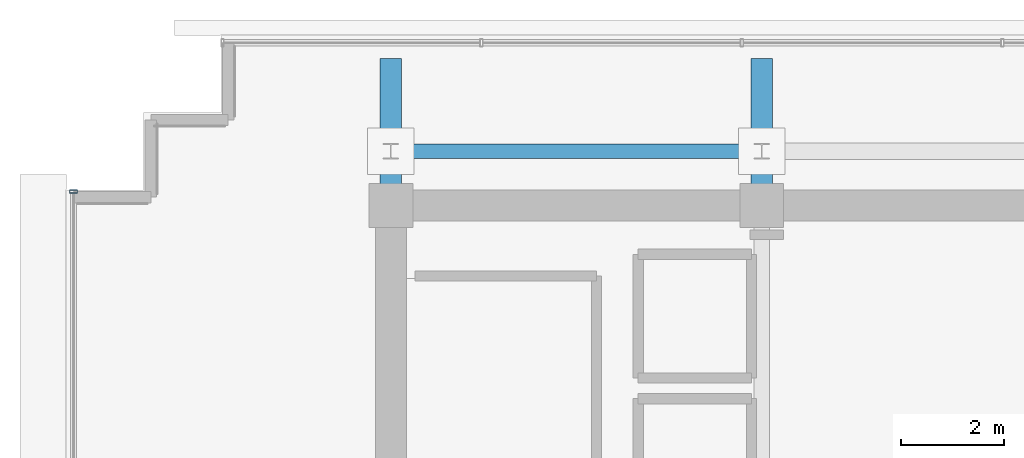
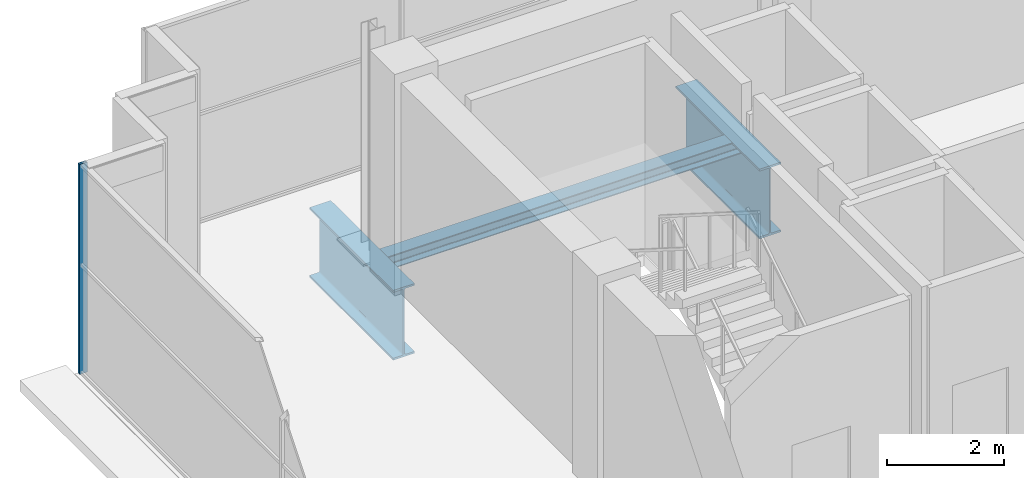
# One storey, part 13 of 28: 3 beams, 1 member, 1 element without a shape of its own.
"""IFC4 building model written with IfcOpenShell, lengths in metres."""

from ifc_helpers import new_model, si_unit, direction, frame, origin, origin_2d, place, context, subcontext, project, spatial, hollow_rectangle, i_section, extrude, source, transform, mapped, material, layer, layer_set, material_profile, profile_set, type_object, element, aggregate, save


model = new_model("IFC4")

# Units and contexts
model_context = context("Model", 3, precision=1e-05, world=origin(), true_north=direction((0.0, 1.0)))
body_context = subcontext(model_context, "Body", "Model", "MODEL_VIEW")
ifc_project = project(units=[si_unit("LENGTHUNIT", "METRE"), si_unit("AREAUNIT", "SQUARE_METRE"), si_unit("VOLUMEUNIT", "CUBIC_METRE"), si_unit("PLANEANGLEUNIT", "RADIAN"), si_unit("MASSUNIT", "GRAM", prefix="KILO")], contexts=[model_context])

# Site, building, storey
site_placement = place(None, origin())
site = spatial("IfcSite", under=ifc_project, at=site_placement, CompositionType="ELEMENT")
building_placement = place(site_placement, origin())
building = spatial("IfcBuilding", under=site, at=building_placement, Name="Zarnakvel Exchange Tower", CompositionType="ELEMENT")
storey_placement = place(building_placement, frame((0.0, 0.0, 271.60009765625)))
storey = spatial("IfcBuildingStorey", under=building, at=storey_placement, Name="Crown L77", CompositionType="ELEMENT", Elevation=271.60009765625)

# Beams
ifc_material_1 = material(Name="Steel S355", Category="steel")
ifc_material_profile_1 = material_profile(ifc_material_1, i_section(OverallWidth=0.280029296875, OverallDepth=0.280029296875, WebThickness=0.010498046875, FlangeThickness=0.01806640625, FilletRadius=0.02392578125, at=origin_2d()))
ifc_profile_set_1 = profile_set([ifc_material_profile_1], Name="Steel S355")
beam_type_1 = type_object("IfcBeamType", Name="SP-04", PredefinedType="SPANDREL", material=ifc_profile_set_1)
beam_placement = place(storey_placement, frame((-14.39990234375, 14.550048828125, -0.360107421875), z_axis=(1.0, 0.0, 0.0), x_axis=(0.0, 1.0, 0.0)))
element("IfcBeam", 1, at=beam_placement, inside=storey, type_object=beam_type_1, Name="Crown L77 Tower E-W Frame Beam", PredefinedType="SPANDREL", context=body_context, shape_type="SweptSolid", body=[
    extrude(i_section(OverallWidth=0.280029296875, OverallDepth=0.280029296875, WebThickness=0.010498046875, FlangeThickness=0.01806640625, FilletRadius=0.02392578125, at=origin_2d()), origin(), (0.0, 0.0, 1.0), 7.199951171875),
])
ifc_material_2 = material(Name="Steel S460", Category="steel")
ifc_material_profile_2 = material_profile(ifc_material_2, i_section(OverallWidth=0.419921875, OverallDepth=1.449951171875, WebThickness=0.02392578125, FlangeThickness=0.0400390625, FilletRadius=0.030029296875, at=origin_2d()))
ifc_profile_set_2 = profile_set([ifc_material_profile_2], Name="Steel S460")
beam_type_2 = type_object("IfcBeamType", Name="TG-01", PredefinedType="BEAM", material=ifc_profile_set_2)
for number, where, z_axis, x_axis, name in (
    (2, (-14.39990234375, 13.5, -0.945068359375), (0.0, 1.0, 0.0), (-1.0, 0.0, 0.0), "Crown L77 Setback N-S Transfer Girder CN-4"),
    (3, (-7.199951171875, 13.5, -0.945068359375), (0.0, 1.0, 0.0), (-1.0, 0.0, 0.0), "Crown L77 Setback N-S Transfer Girder CN-5"),
):
    element("IfcBeam", number, at=place(storey_placement, frame(where, z_axis=z_axis, x_axis=x_axis)), inside=storey, type_object=beam_type_2, Name=name, PredefinedType="BEAM", context=body_context, shape_type="SweptSolid", body=[
        extrude(i_section(OverallWidth=0.419921875, OverallDepth=1.449951171875, WebThickness=0.02392578125, FlangeThickness=0.0400390625, FilletRadius=0.030029296875, at=origin_2d()), origin(), (0.0, 0.0, 1.0), 2.85009765625),
    ])

# Curtain wall, member
ifc_material_3 = material(Name="Architectural Bronze Anodised Aluminium", Category="aluminium")
ifc_layer = layer(ifc_material_3, 0.14990234375)
ifc_layer_set = layer_set([ifc_layer], Name="Architectural Bronze Anodised Aluminium")
curtain_wall_type = type_object("IfcCurtainWallType", Name="CW-07", PredefinedType="NOTDEFINED", material=ifc_layer_set)
curtain_wall_placement = place(storey_placement, origin())
curtain_wall = element("IfcCurtainWall", 4, at=curtain_wall_placement, inside=storey, type_object=curtain_wall_type, Name="Crown L77 Curtain Wall CW-Crown L77-W (CW-07)", PredefinedType="NOTDEFINED")
ifc_material_profile_3 = material_profile(ifc_material_3, hollow_rectangle(XDim=0.14990234375, YDim=0.06005859375, WallThickness=0.00390625, at=origin_2d()))
ifc_profile_set_3 = profile_set([ifc_material_profile_3], Name="Architectural Bronze Anodised Aluminium")
member_type = type_object("IfcMemberType", Name="CWM-07", PredefinedType="MULLION", material=ifc_profile_set_3)
shared_shape = source(origin(), body_context, "Body", "SweptSolid", [
    extrude(hollow_rectangle(XDim=0.14990234375, YDim=0.06005859375, WallThickness=0.00390625, at=origin_2d()), origin(), (0.0, 0.0, 1.0), 4.35986328125),
])
member_placement = place(storey_placement, frame((-20.56005859375, 13.77001953125, 0.0), z_axis=(0.0, 0.0, 1.0), x_axis=(-1.0, 0.0, 0.0)))
member = element("IfcMember", 5, at=member_placement, type_object=member_type, Name="CW-07 mullion 5", PredefinedType="MULLION", context=body_context, shape_type="MappedRepresentation", body=[
    mapped(shared_shape, transform((0.0, 0.0, 0.0), x_axis=(1.0, 0.0, 0.0), y_axis=(0.0, 1.0, 0.0), z_axis=(0.0, 0.0, 1.0), scale=1.0)),
])
aggregate(curtain_wall, [member])

save(model, "model.ifc")
